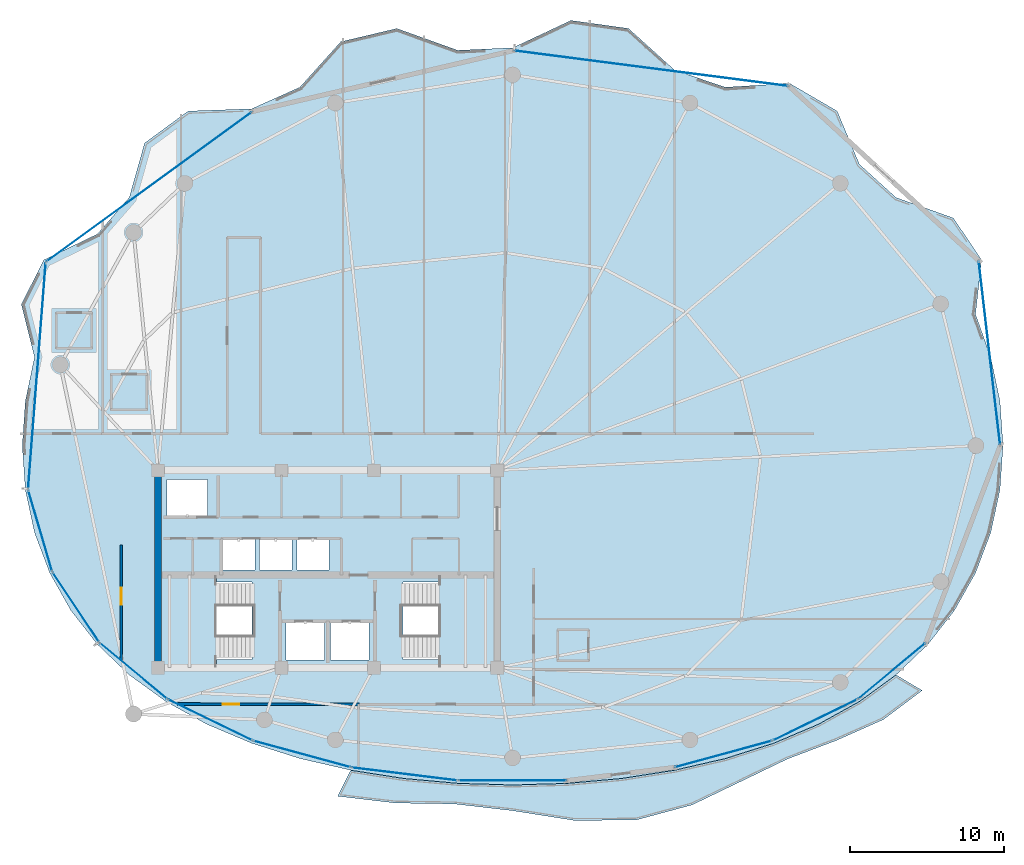
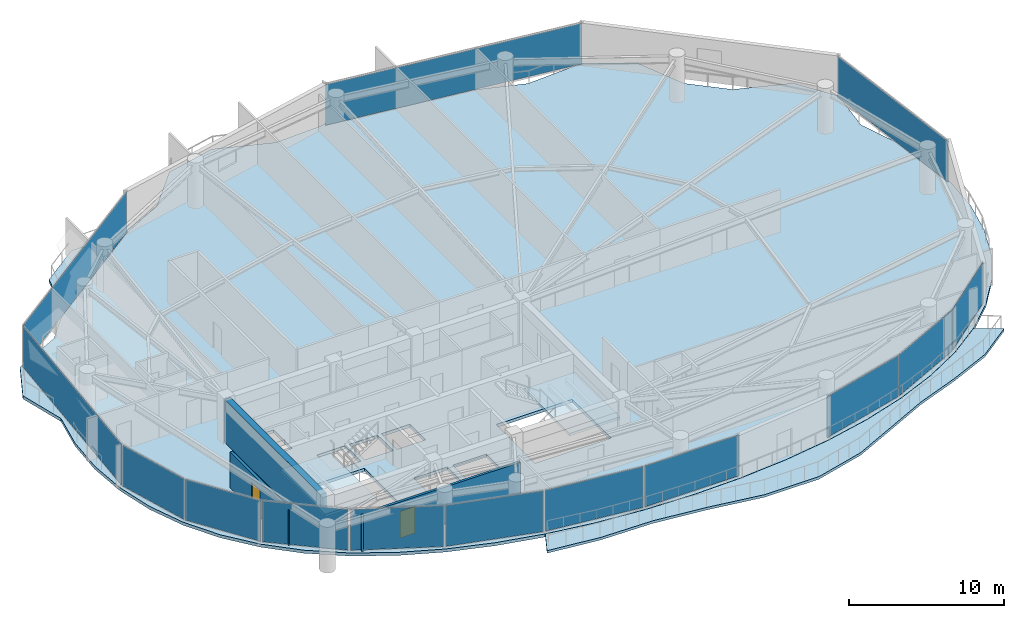
# One storey, part 24 of 31: 14 plates, 4 slabs, 3 walls, 2 doors, 2 openings, 16 elements without a shape of their own.
"""IFC4 building model written with IfcOpenShell, lengths in metres."""

from ifc_helpers import new_model, si_unit, direction, frame, frame_2d, origin, origin_2d, place, context, subcontext, project, spatial, polyline, rectangle, outline, extrude, material, layer, layer_set, type_object, element, fill, aggregate, save


model = new_model("IFC4")

# Units and contexts
model_context = context("Model", 3, precision=1e-05, world=origin(), true_north=direction((0.0, 1.0)))
body_context = subcontext(model_context, "Body", "Model", "MODEL_VIEW")
ifc_project = project(units=[si_unit("LENGTHUNIT", "METRE"), si_unit("AREAUNIT", "SQUARE_METRE"), si_unit("VOLUMEUNIT", "CUBIC_METRE"), si_unit("PLANEANGLEUNIT", "RADIAN"), si_unit("MASSUNIT", "GRAM", prefix="KILO")], contexts=[model_context])

# Site, building, storey
site_placement = place(None, origin())
site = spatial("IfcSite", under=ifc_project, at=site_placement, CompositionType="ELEMENT")
building_placement = place(site_placement, origin())
building = spatial("IfcBuilding", under=site, at=building_placement, Name="Kazevale Care Tower and Concert Hall", CompositionType="ELEMENT")
storey_placement = place(building_placement, frame((0.0, 0.0, 217.199951171875)))
storey = spatial("IfcBuildingStorey", under=building, at=storey_placement, Name="L57", CompositionType="ELEMENT", Elevation=217.199951171875)

# Curtain wall, plate
ifc_material_1 = material(Name="Aluminium 6063-T6 and Low-E Glass", Category="aluminium")
ifc_layer_1 = layer(ifc_material_1, 0.179931640625)
ifc_layer_set_1 = layer_set([ifc_layer_1], Name="Aluminium 6063-T6 and Low-E Glass")
curtain_wall_type_1 = type_object("IfcCurtainWallType", Name="Waist & Upper Residential Curtain Wall CW-4", PredefinedType="NOTDEFINED", material=ifc_layer_set_1)
curtain_wall_1_placement = place(storey_placement, origin())
curtain_wall_1 = element("IfcCurtainWall", 1, at=curtain_wall_1_placement, inside=storey, type_object=curtain_wall_type_1, Name="cw:L57:f11", PredefinedType="NOTDEFINED")
ifc_material_2 = material(Name="Low-E Laminated Glass", Category="glass")
ifc_layer_2 = layer(ifc_material_2, 0.030029296875)
ifc_layer_set_2 = layer_set([ifc_layer_2], Name="Low-E Laminated Glass")
plate_type_1 = type_object("IfcPlateType", Name="CW-4 Low-E Glazing Panel 30mm", PredefinedType="CURTAIN_PANEL", material=ifc_layer_set_2)
plate_1_placement = place(storey_placement, frame((16.677978515625, 27.525390625, 0.080078125), z_axis=(0.0, 0.0, 1.0), x_axis=(-0.554616540853, 0.832106058512, 0.0)))
plate_1 = element("IfcPlate", 2, at=plate_1_placement, type_object=plate_type_1, Name="CW-4 panel 1.1", PredefinedType="CURTAIN_PANEL", context=body_context, shape_type="SweptSolid", body=[
    extrude(rectangle(XDim=5.357421875, YDim=0.030029296875, at=origin_2d()), origin(), (0.0, 0.0, 1.0), 3.199951171875),
])
aggregate(curtain_wall_1, [plate_1])

curtain_wall_2_placement = place(storey_placement, origin())
curtain_wall_2 = element("IfcCurtainWall", 3, at=curtain_wall_2_placement, inside=storey, type_object=curtain_wall_type_1, Name="cw:L57:f12", PredefinedType="NOTDEFINED")
plate_2_placement = place(storey_placement, frame((14.363525390625, 32.489013671875, 0.080078125), z_axis=(0.0, 0.0, 1.0), x_axis=(-0.282098184457, 0.959385539982, 0.0)))
plate_2 = element("IfcPlate", 4, at=plate_2_placement, type_object=plate_type_1, Name="CW-4 panel 1.1", PredefinedType="CURTAIN_PANEL", context=body_context, shape_type="SweptSolid", body=[
    extrude(rectangle(XDim=5.40185546875, YDim=0.030029296875, at=origin_2d()), origin(), (0.0, 0.0, 1.0), 3.199951171875),
])
aggregate(curtain_wall_2, [plate_2])

curtain_wall_3_placement = place(storey_placement, origin())
curtain_wall_3 = element("IfcCurtainWall", 5, at=curtain_wall_3_placement, inside=storey, type_object=curtain_wall_type_1, Name="cw:L57:f13", PredefinedType="NOTDEFINED")
plate_3_placement = place(storey_placement, frame((14.152587890625, 42.531005859375, 0.080078125), z_axis=(0.0, 0.0, 1.0), x_axis=(0.077539106325, 0.996989311372, 0.0)))
plate_3 = element("IfcPlate", 6, at=plate_3_placement, type_object=plate_type_1, Name="CW-4 panel 1.1", PredefinedType="CURTAIN_PANEL", context=body_context, shape_type="SweptSolid", body=[
    extrude(rectangle(XDim=14.632568359375, YDim=0.030029296875, at=origin_2d()), origin(), (0.0, 0.0, 1.0), 3.199951171875),
])
aggregate(curtain_wall_3, [plate_3])

curtain_wall_4_placement = place(storey_placement, origin())
curtain_wall_4 = element("IfcCurtainWall", 7, at=curtain_wall_4_placement, inside=storey, type_object=curtain_wall_type_1, Name="cw:L57:f14", PredefinedType="NOTDEFINED")
plate_4_placement = place(storey_placement, frame((21.424560546875, 54.785888671875, 0.080078125), z_axis=(0.0, 0.0, 1.0), x_axis=(0.808198348937, 0.588910374145, 0.0)))
plate_4 = element("IfcPlate", 8, at=plate_4_placement, type_object=plate_type_1, Name="CW-4 panel 1.1", PredefinedType="CURTAIN_PANEL", context=body_context, shape_type="SweptSolid", body=[
    extrude(rectangle(XDim=16.416259765625, YDim=0.030029296875, at=origin_2d()), origin(), (0.0, 0.0, 1.0), 3.199951171875),
])
aggregate(curtain_wall_4, [plate_4])

curtain_wall_5_placement = place(storey_placement, origin())
curtain_wall_5 = element("IfcCurtainWall", 9, at=curtain_wall_5_placement, inside=storey, type_object=curtain_wall_type_1, Name="cw:L57:f16", PredefinedType="NOTDEFINED")
plate_5_placement = place(storey_placement, frame((53.978515625, 62.468017578125, 0.080078125), z_axis=(0.0, 0.0, 1.0), x_axis=(0.991761497713, -0.128098132904, 0.0)))
plate_5 = element("IfcPlate", 10, at=plate_5_placement, type_object=plate_type_1, Name="CW-4 panel 1.1", PredefinedType="CURTAIN_PANEL", context=body_context, shape_type="SweptSolid", body=[
    extrude(rectangle(XDim=17.857421875, YDim=0.030029296875, at=origin_2d()), origin(), (0.0, 0.0, 1.0), 3.199951171875),
])
aggregate(curtain_wall_5, [plate_5])

curtain_wall_6_placement = place(storey_placement, origin())
curtain_wall_6 = element("IfcCurtainWall", 11, at=curtain_wall_6_placement, inside=storey, type_object=curtain_wall_type_1, Name="cw:L57:f18", PredefinedType="NOTDEFINED")
plate_6_placement = place(storey_placement, frame((75.92041015625, 43.99755859375, 0.080078125), z_axis=(0.0, 0.0, 1.0), x_axis=(0.115846659989, -0.993267109779, 0.0)))
plate_6 = element("IfcPlate", 12, at=plate_6_placement, type_object=plate_type_1, Name="CW-4 panel 1.1", PredefinedType="CURTAIN_PANEL", context=body_context, shape_type="SweptSolid", body=[
    extrude(rectangle(XDim=11.916259765625, YDim=0.030029296875, at=origin_2d()), origin(), (0.0, 0.0, 1.0), 3.199951171875),
])
aggregate(curtain_wall_6, [plate_6])

ifc_layer_3 = layer(ifc_material_1, 0.179931640625)
ifc_layer_set_3 = layer_set([ifc_layer_3], Name="Aluminium 6063-T6 and Low-E Glass")
curtain_wall_type_2 = type_object("IfcCurtainWallType", Name="Sheltered Concave Balcony Curtain Wall CW-5", PredefinedType="NOTDEFINED", material=ifc_layer_set_3)
curtain_wall_7_placement = place(storey_placement, origin())
curtain_wall_7 = element("IfcCurtainWall", 13, at=curtain_wall_7_placement, inside=storey, type_object=curtain_wall_type_2, Name="cw:L57:f02", PredefinedType="NOTDEFINED")
ifc_layer_4 = layer(ifc_material_2, 0.02587890625)
ifc_layer_set_4 = layer_set([ifc_layer_4], Name="Low-E Laminated Glass")
plate_type_2 = type_object("IfcPlateType", Name="CW-5 Low-E Glazing Panel 26mm", PredefinedType="CURTAIN_PANEL", material=ifc_layer_set_4)
plate_7_placement = place(storey_placement, frame((69.590576171875, 23.396484375, 0.074951171875), z_axis=(0.0, 0.0, 1.0), x_axis=(-0.768407210062, -0.639961217204, 0.0)))
plate_7 = element("IfcPlate", 14, at=plate_7_placement, type_object=plate_type_2, Name="CW-5 panel 1.1", PredefinedType="CURTAIN_PANEL", context=body_context, shape_type="SweptSolid", body=[
    extrude(rectangle(XDim=5.580078125, YDim=0.02587890625, at=origin_2d()), origin(), (0.0, 0.0, 1.0), 3.2099609375),
])
aggregate(curtain_wall_7, [plate_7])

curtain_wall_8_placement = place(storey_placement, origin())
curtain_wall_8 = element("IfcCurtainWall", 15, at=curtain_wall_8_placement, inside=storey, type_object=curtain_wall_type_2, Name="cw:L57:f03", PredefinedType="NOTDEFINED")
plate_8_placement = place(storey_placement, frame((64.62255859375, 20.218017578125, 0.074951171875), z_axis=(0.0, 0.0, 1.0), x_axis=(-0.89934566163, -0.437238357087, 0.0)))
plate_8 = element("IfcPlate", 16, at=plate_8_placement, type_object=plate_type_2, Name="CW-5 panel 1.1", PredefinedType="CURTAIN_PANEL", context=body_context, shape_type="SweptSolid", body=[
    extrude(rectangle(XDim=6.002197265625, YDim=0.02587890625, at=origin_2d()), origin(), (0.0, 0.0, 1.0), 3.2099609375),
])
aggregate(curtain_wall_8, [plate_8])

curtain_wall_9_placement = place(storey_placement, origin())
curtain_wall_9 = element("IfcCurtainWall", 17, at=curtain_wall_9_placement, inside=storey, type_object=curtain_wall_type_2, Name="cw:L57:f04", PredefinedType="NOTDEFINED")
plate_9_placement = place(storey_placement, frame((58.66259765625, 18.0029296875, 0.074951171875), z_axis=(0.0, 0.0, 1.0), x_axis=(-0.964836991167, -0.262848968947, 0.0)))
plate_9 = element("IfcPlate", 18, at=plate_9_placement, type_object=plate_type_2, Name="CW-5 panel 1.1", PredefinedType="CURTAIN_PANEL", context=body_context, shape_type="SweptSolid", body=[
    extrude(rectangle(XDim=6.4697265625, YDim=0.02587890625, at=origin_2d()), origin(), (0.0, 0.0, 1.0), 3.2099609375),
])
aggregate(curtain_wall_9, [plate_9])

curtain_wall_10_placement = place(storey_placement, origin())
curtain_wall_10 = element("IfcCurtainWall", 19, at=curtain_wall_10_placement, inside=storey, type_object=curtain_wall_type_2, Name="cw:L57:f06", PredefinedType="NOTDEFINED")
plate_10_placement = place(storey_placement, frame((45.0, 16.284912109375, 0.074951171875), z_axis=(0.0, 0.0, 1.0), x_axis=(-1.0, 0.0, 0.0)))
plate_10 = element("IfcPlate", 20, at=plate_10_placement, type_object=plate_type_2, Name="CW-5 panel 1.1", PredefinedType="CURTAIN_PANEL", context=body_context, shape_type="SweptSolid", body=[
    extrude(rectangle(XDim=6.949951171875, YDim=0.02587890625, at=origin_2d()), origin(), (0.0, 0.0, 1.0), 3.2099609375),
])
aggregate(curtain_wall_10, [plate_10])

curtain_wall_11_placement = place(storey_placement, origin())
curtain_wall_11 = element("IfcCurtainWall", 21, at=curtain_wall_11_placement, inside=storey, type_object=curtain_wall_type_2, Name="cw:L57:f07", PredefinedType="NOTDEFINED")
plate_11_placement = place(storey_placement, frame((37.990478515625, 16.708984375, 0.074951171875), z_axis=(0.0, 0.0, 1.0), x_axis=(-0.992572961225, 0.121650797964, 0.0)))
plate_11 = element("IfcPlate", 22, at=plate_11_placement, type_object=plate_type_2, Name="CW-5 panel 1.1", PredefinedType="CURTAIN_PANEL", context=body_context, shape_type="SweptSolid", body=[
    extrude(rectangle(XDim=6.82080078125, YDim=0.02587890625, at=origin_2d()), origin(), (0.0, 0.0, 1.0), 3.2099609375),
])
aggregate(curtain_wall_11, [plate_11])

curtain_wall_12_placement = place(storey_placement, origin())
curtain_wall_12 = element("IfcCurtainWall", 23, at=curtain_wall_12_placement, inside=storey, type_object=curtain_wall_type_2, Name="cw:L57:f08", PredefinedType="NOTDEFINED")
plate_12_placement = place(storey_placement, frame((31.33740234375, 18.0029296875, 0.074951171875), z_axis=(0.0, 0.0, 1.0), x_axis=(-0.964836991167, 0.262848968947, 0.0)))
plate_12 = element("IfcPlate", 24, at=plate_12_placement, type_object=plate_type_2, Name="CW-5 panel 1.1", PredefinedType="CURTAIN_PANEL", context=body_context, shape_type="SweptSolid", body=[
    extrude(rectangle(XDim=6.4697265625, YDim=0.02587890625, at=origin_2d()), origin(), (0.0, 0.0, 1.0), 3.2099609375),
])
aggregate(curtain_wall_12, [plate_12])

curtain_wall_13_placement = place(storey_placement, origin())
curtain_wall_13 = element("IfcCurtainWall", 25, at=curtain_wall_13_placement, inside=storey, type_object=curtain_wall_type_2, Name="cw:L57:f09", PredefinedType="NOTDEFINED")
plate_13_placement = place(storey_placement, frame((25.37744140625, 20.218017578125, 0.074951171875), z_axis=(0.0, 0.0, 1.0), x_axis=(-0.89934566163, 0.437238357087, 0.0)))
plate_13 = element("IfcPlate", 26, at=plate_13_placement, type_object=plate_type_2, Name="CW-5 panel 1.1", PredefinedType="CURTAIN_PANEL", context=body_context, shape_type="SweptSolid", body=[
    extrude(rectangle(XDim=6.002197265625, YDim=0.02587890625, at=origin_2d()), origin(), (0.0, 0.0, 1.0), 3.2099609375),
])
aggregate(curtain_wall_13, [plate_13])

curtain_wall_14_placement = place(storey_placement, origin())
curtain_wall_14 = element("IfcCurtainWall", 27, at=curtain_wall_14_placement, inside=storey, type_object=curtain_wall_type_2, Name="cw:L57:f10", PredefinedType="NOTDEFINED")
plate_14_placement = place(storey_placement, frame((20.409423828125, 23.396484375, 0.074951171875), z_axis=(0.0, 0.0, 1.0), x_axis=(-0.768407210062, 0.639961217204, 0.0)))
plate_14 = element("IfcPlate", 28, at=plate_14_placement, type_object=plate_type_2, Name="CW-5 panel 1.1", PredefinedType="CURTAIN_PANEL", context=body_context, shape_type="SweptSolid", body=[
    extrude(rectangle(XDim=5.580078125, YDim=0.02587890625, at=origin_2d()), origin(), (0.0, 0.0, 1.0), 3.2099609375),
])
aggregate(curtain_wall_14, [plate_14])

# Slab
ifc_material_3 = material(Name="Concrete C40", Category="concrete")
ifc_layer_5 = layer(ifc_material_3, 0.199951171875)
ifc_layer_set_5 = layer_set([ifc_layer_5], Name="Concrete C40")
slab_type_1 = type_object("IfcSlabType", Name="Sinusoidal Concave Balcony Slab 200", PredefinedType="USERDEFINED", material=ifc_layer_set_5)
slab_1_placement = place(storey_placement, frame((0.0, 0.0, -0.199951171875)))
element("IfcSlab", 29, at=slab_1_placement, inside=storey, type_object=slab_type_1, Name="slab:L57:bal", ObjectType="BALCONY", PredefinedType="USERDEFINED", context=body_context, shape_type="SweptSolid", body=[
    extrude(outline(polyline([(71.552978515625, 22.126220703125), (69.058837890625, 20.250244140625), (65.982421875, 18.881103515625), (62.81591796875, 17.68017578125), (59.806884765625, 16.2294921875), (56.627685546875, 14.702392578125), (52.9638671875, 13.71533203125), (48.950439453125, 13.706787109375), (45.0, 14.329833984375), (41.22216796875, 14.7685546875), (37.401123046875, 14.828369140625), (33.65478515625, 15.2685546875), (34.494873046875, 16.951416015625), (34.49609375, 16.951171875), (37.923095703125, 16.417236328125), (41.439208984375, 16.10009765625), (45.0, 15.9951171875), (48.560791015625, 16.10009765625), (52.076904296875, 16.417236328125), (55.50390625, 16.951171875), (58.798828125, 17.708740234375), (61.92041015625, 18.69873046875), (64.8291015625, 19.92919921875), (67.48876953125, 21.406494140625), (69.865478515625, 23.133056640625), (69.86669921875, 23.13427734375), (71.552978515625, 22.126220703125)])), origin(), (0.0, 0.0, 1.0), 0.199951171875),
])

# Stair, slab
stair_type = type_object("IfcStairType", Name="Exit Stair Assembly ST1-Z3", PredefinedType="HALF_TURN_STAIR", material=ifc_material_3)
stair_1_placement = place(storey_placement, origin())
stair_1 = element("IfcStair", 30, at=stair_1_placement, inside=storey, type_object=stair_type, Name="stair:L57:ST1", PredefinedType="HALF_TURN_STAIR")
ifc_layer_6 = layer(ifc_material_3, 0.199951171875)
ifc_layer_set_6 = layer_set([ifc_layer_6], Name="Concrete C40")
slab_type_2 = type_object("IfcSlabType", Name="Stair Half-Landing Slab ST1-Z3", PredefinedType="LANDING", material=ifc_layer_set_6)
slab_2_placement = place(storey_placement, frame((0.0, 0.0, 1.60009765625)))
slab_2 = element("IfcSlab", 31, at=slab_2_placement, type_object=slab_type_2, Name="ST1-Z3 landing 1", PredefinedType="LANDING", context=body_context, shape_type="SweptSolid", body=[
    extrude(outline(polyline([(22.050048828125, 23.699951171875), (25.81005859375, 23.699951171875), (25.81005859375, 29.5), (22.050048828125, 29.5), (22.050048828125, 23.699951171875)])), origin(), (0.0, 0.0, 1.0), 0.199951171875),
])
aggregate(stair_1, [slab_2])

stair_2_placement = place(storey_placement, origin())
stair_2 = element("IfcStair", 32, at=stair_2_placement, inside=storey, type_object=stair_type, Name="stair:L57:ST2", PredefinedType="HALF_TURN_STAIR")
slab_3_placement = place(storey_placement, frame((0.0, 0.0, 1.60009765625)))
slab_3 = element("IfcSlab", 33, at=slab_3_placement, type_object=slab_type_2, Name="ST1-Z3 landing 1", PredefinedType="LANDING", context=body_context, shape_type="SweptSolid", body=[
    extrude(outline(polyline([(40.18994140625, 23.699951171875), (43.949951171875, 23.699951171875), (43.949951171875, 29.5), (40.18994140625, 29.5), (40.18994140625, 23.699951171875)])), origin(), (0.0, 0.0, 1.0), 0.199951171875),
])
aggregate(stair_2, [slab_3])

# Slab
ifc_layer_7 = layer(ifc_material_3, 0.239990234375)
ifc_layer_set_7 = layer_set([ifc_layer_7], Name="Concrete C40")
slab_type_3 = type_object("IfcSlabType", Name="Tower Typical Floor Slab 240", PredefinedType="FLOOR", material=ifc_layer_set_7)
slab_4_placement = place(storey_placement, frame((0.0, 0.0, -0.239990234375)))
element("IfcSlab", 34, at=slab_4_placement, inside=storey, type_object=slab_type_3, Name="slab:L57:tw:1", PredefinedType="FLOOR", context=body_context, shape_type="SweptSolid", body=[
    extrude(outline(polyline([(76.800048828125, 38.0), (76.60009765625, 40.888671875), (76.002685546875, 43.740966796875), (75.015380859375, 46.521240234375), (75.40771484375, 50.040283203125), (73.576904296875, 52.763916015625), (69.8623046875, 54.0859375), (67.486083984375, 56.243408203125), (66.042724609375, 59.69580078125), (62.9560546875, 61.49658203125), (58.797607421875, 61.2451171875), (55.5029296875, 62.352294921875), (52.510009765625, 65.05419921875), (48.77880859375, 65.575439453125), (45.0, 63.800048828125), (41.439453125, 63.6376953125), (37.489990234375, 65.05419921875), (33.85302734375, 64.19287109375), (31.202392578125, 61.2451171875), (28.081298828125, 59.845458984375), (23.957275390625, 59.69580078125), (21.135009765625, 57.622314453125), (20.1376953125, 54.0859375), (18.07421875, 51.726318359375), (14.59228515625, 50.040283203125), (13.143798828125, 47.165283203125), (13.997314453125, 43.740966796875), (13.39990234375, 40.888671875), (13.199951171875, 38.0), (13.39990234375, 35.131103515625), (13.997314453125, 32.362060546875), (14.984619140625, 29.744873046875), (16.34912109375, 27.318115234375), (18.07421875, 25.109130859375), (20.1376953125, 23.13671875), (22.513916015625, 21.41064453125), (25.173095703125, 19.933837890625), (28.081298828125, 18.70361328125), (31.202392578125, 17.713623046875), (34.4970703125, 16.9560546875), (37.923828125, 16.422119140625), (41.439453125, 16.10498046875), (45.0, 16.0), (48.560546875, 16.10498046875), (52.076171875, 16.422119140625), (55.5029296875, 16.9560546875), (58.797607421875, 17.713623046875), (61.918701171875, 18.70361328125), (64.826904296875, 19.933837890625), (67.486083984375, 21.41064453125), (69.8623046875, 23.13671875), (71.92578125, 25.109130859375), (73.65087890625, 27.318115234375), (75.015380859375, 29.744873046875), (76.002685546875, 32.362060546875), (76.60009765625, 35.131103515625), (76.800048828125, 38.0)]), holes=[polyline([(22.449951171875, 24.14990234375), (28.110107421875, 24.14990234375), (28.110107421875, 29.14990234375), (22.449951171875, 29.14990234375), (22.449951171875, 24.14990234375)]), polyline([(37.889892578125, 24.14990234375), (43.550048828125, 24.14990234375), (43.550048828125, 29.14990234375), (37.889892578125, 29.14990234375), (37.889892578125, 24.14990234375)]), polyline([(30.300048828125, 24.10009765625), (32.800048828125, 24.10009765625), (32.800048828125, 26.60009765625), (30.300048828125, 26.60009765625), (30.300048828125, 24.10009765625)]), polyline([(33.199951171875, 24.10009765625), (35.699951171875, 24.10009765625), (35.699951171875, 26.60009765625), (33.199951171875, 26.60009765625), (33.199951171875, 24.10009765625)]), polyline([(22.60009765625, 33.39990234375), (25.199951171875, 33.39990234375), (25.199951171875, 35.800048828125), (22.60009765625, 35.800048828125), (22.60009765625, 33.39990234375)]), polyline([(26.199951171875, 29.949951171875), (28.300048828125, 29.949951171875), (28.300048828125, 31.949951171875), (26.199951171875, 31.949951171875), (26.199951171875, 29.949951171875)]), polyline([(28.60009765625, 29.949951171875), (30.699951171875, 29.949951171875), (30.699951171875, 31.949951171875), (28.60009765625, 31.949951171875), (28.60009765625, 29.949951171875)]), polyline([(31.0, 29.949951171875), (33.10009765625, 29.949951171875), (33.10009765625, 31.949951171875), (31.0, 31.949951171875), (31.0, 29.949951171875)])]), origin(), (0.0, 0.0, 1.0), 0.239990234375),
])

# Wall
ifc_material_4 = material(Name="Concrete C50", Category="concrete")
ifc_layer_8 = layer(ifc_material_4, 0.449951171875)
ifc_layer_set_8 = layer_set([ifc_layer_8], Name="Concrete C50")
wall_type_1 = type_object("IfcWallType", Name="Core Shear Wall 450 C50", PredefinedType="SHEAR", material=ifc_layer_set_8)
wall_1_placement = place(storey_placement, frame((22.0, 23.824951171875, 0.0), z_axis=(0.0, 0.0, 1.0), x_axis=(0.0, 1.0, 0.0)))
element("IfcWall", 35, at=wall_1_placement, inside=storey, type_object=wall_type_1, Name="wall:L57:core:W", PredefinedType="SHEAR", context=body_context, shape_type="SweptSolid", body=[
    extrude(rectangle(XDim=12.35009765625, YDim=0.449951171875, at=frame_2d((6.175048828125, 0.0))), origin(), (0.0, 0.0, 1.0), 3.360107421875),
])

# Wall, opening, door
ifc_material_5 = material(Name="Concrete C40 and Acoustic Gypsum", Category="concrete")
ifc_layer_9 = layer(ifc_material_5, 0.179931640625)
ifc_layer_set_9 = layer_set([ifc_layer_9], Name="Concrete C40 and Acoustic Gypsum")
wall_type_2 = type_object("IfcWallType", Name="Fire-Rated Corridor & Party Wall 180", PredefinedType="PARTITIONING", material=ifc_layer_set_9)
wall_2_placement = place(storey_placement, frame((35.06494140625, 21.22509765625, 0.0), z_axis=(0.0, 0.0, 1.0), x_axis=(-0.999998948453, 0.001450204611, 0.0)))
wall_2 = element("IfcWall", 36, at=wall_2_placement, inside=storey, type_object=wall_type_2, Name="wall:L57:auto_016", PredefinedType="PARTITIONING", context=body_context, shape_type="SweptSolid", body=[
    extrude(rectangle(XDim=11.784423828125, YDim=0.179931640625, at=frame_2d((5.89208984375, 0.0))), origin(), (0.0, 0.0, 1.0), 2.89013671875),
])
opening_1_placement = place(wall_2_placement, frame((7.779052734375, 0.0, 0.0)))
opening_1 = element("IfcOpeningElement", 37, at=opening_1_placement, cuts=wall_2, Name="Opening ID-1100", PredefinedType="OPENING", context=body_context, shape_type="SweptSolid", body=[
    extrude(rectangle(XDim=1.10009765625, YDim=2.10009765625, at=frame_2d((0.550048828125, 1.050048828125))), frame((0.0, 0.099853515625, 0.0), z_axis=(0.0, -1.0, 0.0), x_axis=(1.0, 0.0, 0.0)), (0.0, 0.0, 1.0), 0.199951171875),
])
ifc_material_6 = material(Name="Oak Timber Fire Leaf", Category="wood")
door_type = type_object("IfcDoorType", Name="Care Bedroom Accessible Door 1100x2100", OperationType="NOTDEFINED", PredefinedType="DOOR", material=ifc_material_6)
door_1_placement = place(opening_1_placement, origin())
door_1 = element("IfcDoor", 38, at=door_1_placement, inside=storey, type_object=door_type, Name="door:L57:ad_016", OperationType="SINGLE_SWING_LEFT", OverallHeight=2.10009765625, OverallWidth=1.10009765625, PredefinedType="DOOR", context=body_context, shape_type="SweptSolid", body=[
    extrude(rectangle(XDim=1.10009765625, YDim=2.10009765625, at=frame_2d((0.550048828125, 1.050048828125))), frame((0.0, 0.02490234375, 0.0), z_axis=(0.0, -1.0, 0.0), x_axis=(1.0, 0.0, 0.0)), (0.0, 0.0, 1.0), 0.050048828125),
])
fill(opening_1, door_1)

wall_3_placement = place(storey_placement, frame((19.625, 24.059814453125, 0.0), z_axis=(0.0, 0.0, 1.0), x_axis=(0.0, 1.0, 0.0)))
wall_3 = element("IfcWall", 39, at=wall_3_placement, inside=storey, type_object=wall_type_2, Name="wall:L57:auto_018", PredefinedType="PARTITIONING", context=body_context, shape_type="SweptSolid", body=[
    extrude(rectangle(XDim=7.505126953125, YDim=0.179931640625, at=frame_2d((3.75244140625, 0.0))), origin(), (0.0, 0.0, 1.0), 2.817138671875),
])
opening_2_placement = place(wall_3_placement, frame((3.639892578125, 0.0, 0.0)))
opening_2 = element("IfcOpeningElement", 40, at=opening_2_placement, cuts=wall_3, Name="Opening ID-1100", PredefinedType="OPENING", context=body_context, shape_type="SweptSolid", body=[
    extrude(rectangle(XDim=1.10009765625, YDim=2.10009765625, at=frame_2d((0.550048828125, 1.050048828125))), frame((0.0, 0.099853515625, 0.0), z_axis=(0.0, -1.0, 0.0), x_axis=(1.0, 0.0, 0.0)), (0.0, 0.0, 1.0), 0.199951171875),
])
door_2_placement = place(opening_2_placement, origin())
door_2 = element("IfcDoor", 41, at=door_2_placement, inside=storey, type_object=door_type, Name="door:L57:ad_018", OperationType="SINGLE_SWING_LEFT", OverallHeight=2.10009765625, OverallWidth=1.10009765625, PredefinedType="DOOR", context=body_context, shape_type="SweptSolid", body=[
    extrude(rectangle(XDim=1.10009765625, YDim=2.10009765625, at=frame_2d((0.550048828125, 1.050048828125))), frame((0.0, 0.02490234375, 0.0), z_axis=(0.0, -1.0, 0.0), x_axis=(1.0, 0.0, 0.0)), (0.0, 0.0, 1.0), 0.050048828125),
])
fill(opening_2, door_2)

save(model, "model.ifc")
